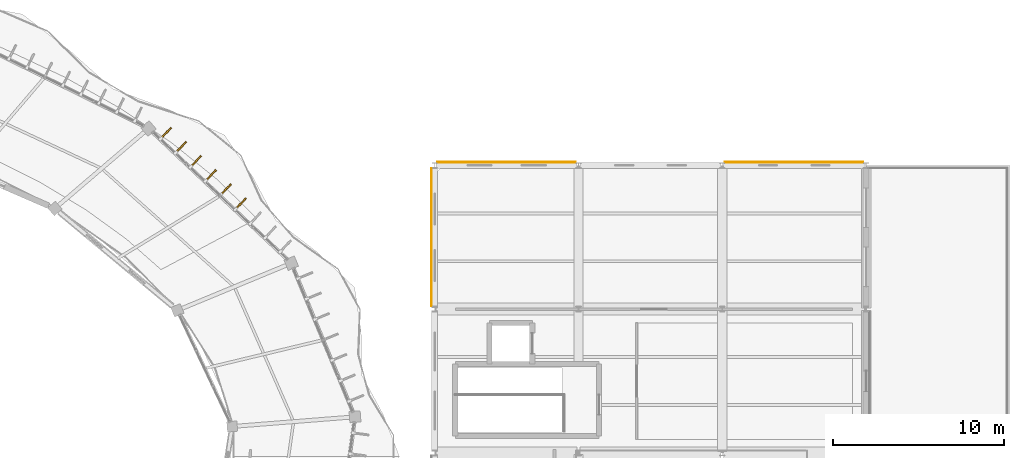
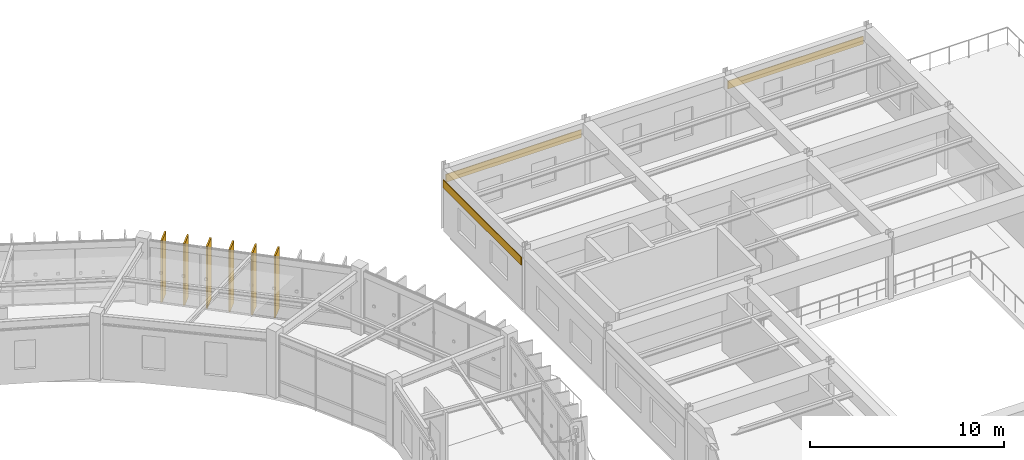
# One storey, part 114 of 114: 6 shading devices, 3 coverings.
"""IFC4 building model written with IfcOpenShell, lengths in metres."""

from ifc_helpers import new_model, si_unit, direction, frame, origin, origin_2d, place, context, subcontext, project, spatial, polyline, rectangle, outline, extrude, material, layer, layer_set, type_object, element, save


model = new_model("IFC4")

# Units and contexts
model_context = context("Model", 3, precision=1e-05, world=origin(), true_north=direction((0.0, 1.0)))
body_context = subcontext(model_context, "Body", "Model", "MODEL_VIEW")
ifc_project = project(units=[si_unit("LENGTHUNIT", "METRE"), si_unit("AREAUNIT", "SQUARE_METRE"), si_unit("VOLUMEUNIT", "CUBIC_METRE"), si_unit("PLANEANGLEUNIT", "RADIAN"), si_unit("MASSUNIT", "GRAM", prefix="KILO"), si_unit("THERMODYNAMICTEMPERATUREUNIT", "KELVIN"), si_unit("POWERUNIT", "WATT")], contexts=[model_context])

# Site, building, storey
site_placement = place(None, origin())
site = spatial("IfcSite", under=ifc_project, at=site_placement, CompositionType="ELEMENT")
building_placement = place(site_placement, origin())
building = spatial("IfcBuilding", under=site, at=building_placement, Name="Darbajah Civic Hall", CompositionType="ELEMENT")
storey_placement = place(building_placement, frame((0.0, 0.0, 13.800048828125)))
storey = spatial("IfcBuildingStorey", under=building, at=storey_placement, Name="L03", CompositionType="ELEMENT", Elevation=13.800048828125)

# Coverings
ifc_material_1 = material(Name="Qatari Desert Limestone Ashlar", Category="masonry")
ifc_layer = layer(ifc_material_1, 0.044921875, Name="Qatari Desert Limestone Ashlar")
ifc_layer_set = layer_set([ifc_layer], Name="Qatari Desert Limestone Ashlar")
covering_type = type_object("IfcCoveringType", Name="Limestone Facade Cladding", PredefinedType="CLADDING", material=ifc_layer_set)
covering_1_placement = place(storey_placement, frame((0.0, 0.0, 2.780029296875)))
element("IfcCovering", 1, at=covering_1_placement, inside=storey, type_object=covering_type, Name="L03 stone frieze cladding EW-V4-L03-S2-B0", PredefinedType="CLADDING", context=body_context, shape_type="SweptSolid", body=[
    extrude(outline(polyline([(169.643310546875, 106.969970703125), (161.556640625, 106.969970703125), (161.556640625, 107.014892578125), (169.643310546875, 107.014892578125), (169.643310546875, 106.969970703125)])), origin(), (0.0, 0.0, 1.0), 0.5),
])
covering_2_placement = place(storey_placement, frame((0.0, 0.0, 2.780029296875)))
element("IfcCovering", 2, at=covering_2_placement, inside=storey, type_object=covering_type, Name="L03 stone frieze cladding EW-V4-L03-S2-B2", PredefinedType="CLADDING", context=body_context, shape_type="SweptSolid", body=[
    extrude(outline(polyline([(152.843505859375, 106.969970703125), (144.756591796875, 106.969970703125), (144.756591796875, 107.014892578125), (152.843505859375, 107.014892578125), (152.843505859375, 106.969970703125)])), origin(), (0.0, 0.0, 1.0), 0.5),
])
covering_3_placement = place(storey_placement, frame((0.0, 0.0, 2.780029296875)))
element("IfcCovering", 3, at=covering_3_placement, inside=storey, type_object=covering_type, Name="L03 stone frieze cladding EW-V4-L03-S3-B0", PredefinedType="CLADDING", context=body_context, shape_type="SweptSolid", body=[
    extrude(outline(polyline([(144.429931640625, 106.6376953125), (144.429931640625, 98.562255859375), (144.385009765625, 98.562255859375), (144.385009765625, 106.6376953125), (144.429931640625, 106.6376953125)])), origin(), (0.0, 0.0, 1.0), 0.5),
])

# Shading devices
ifc_material_2 = material(Name="Bronze Anodised Aluminium and Teak Composite", Category="aluminium")
shading_device_type = type_object("IfcShadingDeviceType", Name="Vertical Bronze Timber Shading Fin", PredefinedType="USERDEFINED", material=ifc_material_2)
for number, where, z_axis, x_axis, name in (
    (4, (133.2763671875, 104.573974609375, 0.0), (0.0, 0.0, 1.0), (0.686453193248, 0.727173991201, 0.0), "L03 vertical shading fin VF-01-4"),
    (5, (132.40283203125, 105.3984375, 0.0), (0.0, 0.0, 1.0), (0.686453193248, 0.727173991201, 0.0), "L03 vertical shading fin VF-01-5"),
    (6, (131.529296875, 106.222900390625, 0.0), (0.0, 0.0, 1.0), (0.686453193248, 0.727173991201, 0.0), "L03 vertical shading fin VF-01-6"),
    (7, (130.65576171875, 107.047607421875, 0.0), (0.0, 0.0, 1.0), (0.686453193248, 0.727173991201, 0.0), "L03 vertical shading fin VF-01-7"),
    (8, (129.7822265625, 107.8720703125, 0.0), (0.0, 0.0, 1.0), (0.686453193248, 0.727173991201, 0.0), "L03 vertical shading fin VF-01-8"),
    (9, (128.90869140625, 108.696533203125, 0.0), (0.0, 0.0, 1.0), (0.686453193248, 0.727173991201, 0.0), "L03 vertical shading fin VF-01-9"),
):
    element("IfcShadingDevice", number, at=place(storey_placement, frame(where, z_axis=z_axis, x_axis=x_axis)), inside=storey, type_object=shading_device_type, Name=name, ObjectType="VERTICAL FIN", PredefinedType="USERDEFINED", context=body_context, shape_type="SweptSolid", body=[
        extrude(rectangle(XDim=0.85009765625, YDim=0.090087890625, at=origin_2d()), origin(), (0.0, 0.0, 1.0), 3.919921875),
    ])

save(model, "model.ifc")
